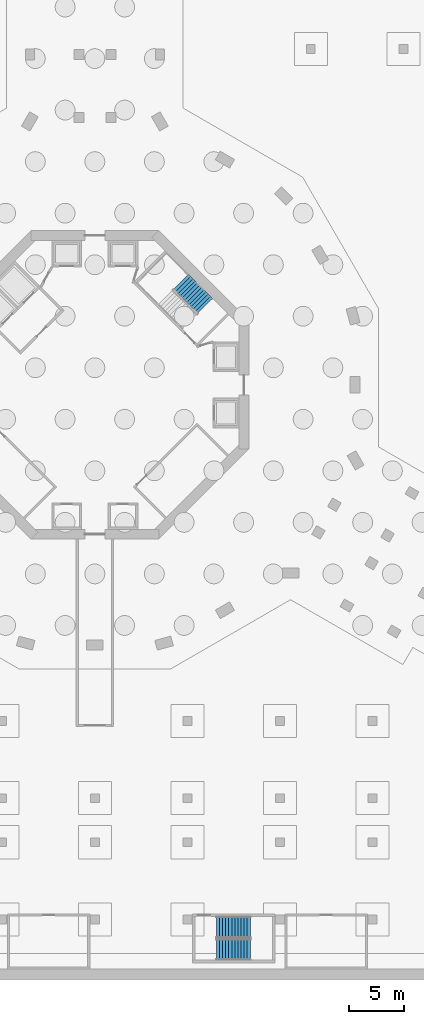
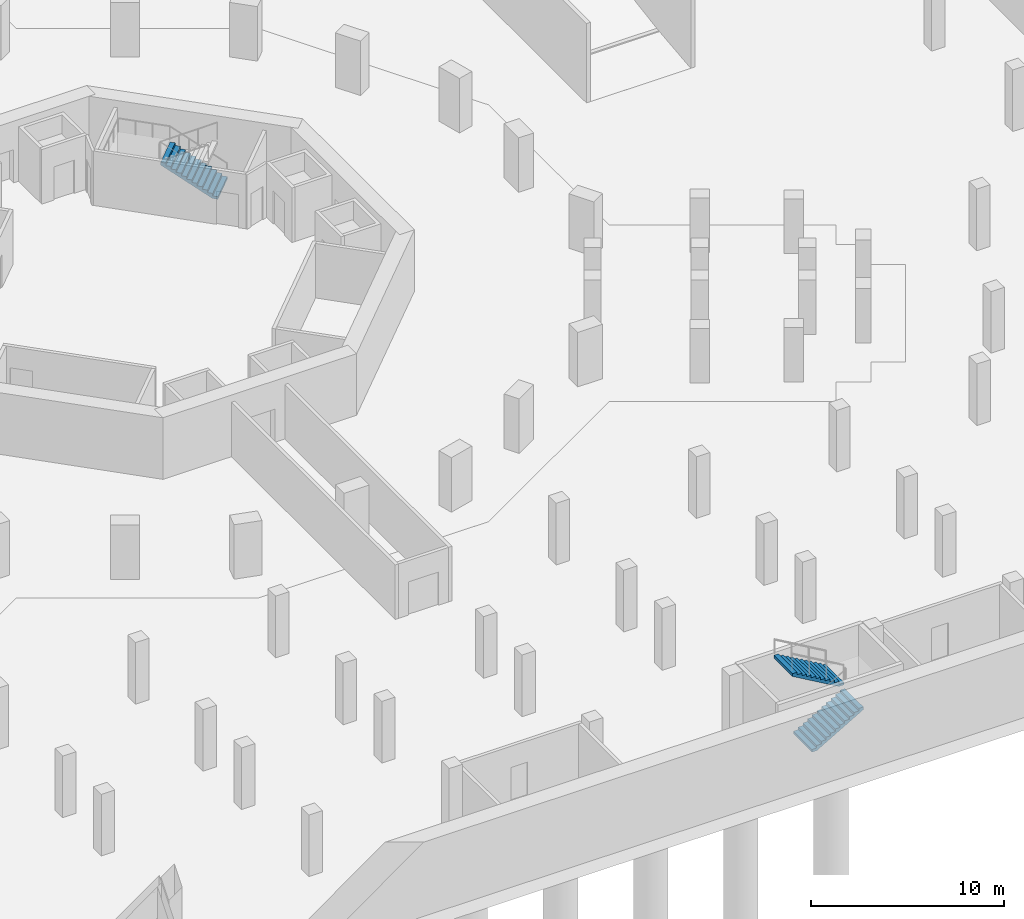
# One storey, part 15 of 27: 3 stair flights, 2 elements without a shape of their own.
"""IFC4 building model written with IfcOpenShell, lengths in metres."""

from ifc_helpers import new_model, si_unit, direction, frame, origin, place, context, subcontext, project, spatial, triangles, material, type_object, element, aggregate, save


model = new_model("IFC4")

# Units and contexts
model_context = context("Model", 3, precision=1e-05, world=origin(), true_north=direction((0.0, 1.0)))
body_context = subcontext(model_context, "Body", "Model", "MODEL_VIEW")
ifc_project = project(units=[si_unit("LENGTHUNIT", "METRE"), si_unit("AREAUNIT", "SQUARE_METRE"), si_unit("VOLUMEUNIT", "CUBIC_METRE"), si_unit("PLANEANGLEUNIT", "RADIAN"), si_unit("MASSUNIT", "GRAM", prefix="KILO")], contexts=[model_context])

# Site, building, storey
site_placement = place(None, origin())
site = spatial("IfcSite", under=ifc_project, at=site_placement, CompositionType="ELEMENT")
building_placement = place(site_placement, origin())
building = spatial("IfcBuilding", under=site, at=building_placement, Name="Verdalira Terraces Hotel", CompositionType="ELEMENT")
storey_placement = place(building_placement, frame((0.0, 0.0, -11.699951)))
storey = spatial("IfcBuildingStorey", under=building, at=storey_placement, Name="B3", CompositionType="ELEMENT", Elevation=-11.699951171875)

# Stair, stair flights
ifc_material_1 = material(Name="Concrete C40", Category="concrete")
stair_type_1 = type_object("IfcStairType", Name="Car park stair 24 risers", PredefinedType="HALF_TURN_STAIR", material=ifc_material_1)
stair_1_placement = place(storey_placement, origin())
stair_1 = element("IfcStair", 1, at=stair_1_placement, inside=storey, type_object=stair_type_1, Name="B3 Exit stair Basement stair 6", PredefinedType="HALF_TURN_STAIR")
ifc_material_2 = material(Name="Concrete C40", Category="concrete")
stair_flight_type_1 = type_object("IfcStairFlightType", Name="Car park stair flight 24 risers", PredefinedType="STRAIGHT", material=ifc_material_2)
stair_flight_1_placement = place(storey_placement, frame((11.024902, -51.237549, 0.0), z_axis=(0.0, 0.0, 1.0), x_axis=(1.0, 0.0, 0.0)))
stair_flight_1 = element("IfcStairFlight", 2, at=stair_flight_1_placement, type_object=stair_flight_type_1, Name="Basement stair 6 flight 1", NumberOfRisers=12, NumberOfTreads=11, PredefinedType="STRAIGHT", RiserHeight=0.1625, TreadLength=0.28, context=body_context, shape_type="Tessellation", body=[
    triangles([(0.0, 0.962524, 0.0), (0.298584, 0.962524, 0.0), (3.080078, 0.962524, 1.614258), (0.0, -0.962524, 0.0), (0.298584, -0.962524, 0.0), (3.080078, -0.962524, 1.614258), (3.080078, 0.962524, 1.787598), (2.800049, 0.962524, 1.787598), (3.080078, -0.962524, 1.787598), (2.800049, -0.962524, 1.787598), (2.800049, 0.962524, 1.625), (2.800049, -0.962524, 1.625), (2.52002, 0.962524, 1.625), (2.52002, -0.962524, 1.625), (2.52002, 0.962524, 1.462402), (2.52002, -0.962524, 1.462402), (2.23999, 0.962524, 1.462402), (2.23999, 0.962524, 1.300049), (2.23999, -0.962524, 1.462402), (2.23999, -0.962524, 1.300049), (1.959961, 0.962524, 1.300049), (1.959961, 0.962524, 1.137451), (1.959961, -0.962524, 1.300049), (1.959961, -0.962524, 1.137451), (1.679932, 0.962524, 1.137451), (1.679932, 0.962524, 0.975098), (1.679932, -0.962524, 1.137451), (1.679932, -0.962524, 0.975098), (1.399902, 0.962524, 0.975098), (1.399902, 0.962524, 0.8125), (1.399902, -0.962524, 0.975098), (1.399902, -0.962524, 0.8125), (1.120117, 0.962524, 0.8125), (1.120117, 0.962524, 0.649902), (1.120117, -0.962524, 0.8125), (1.120117, -0.962524, 0.649902), (0.840088, 0.962524, 0.649902), (0.840088, 0.962524, 0.487549), (0.840088, -0.962524, 0.649902), (0.840088, -0.962524, 0.487549), (0.560059, 0.962524, 0.487549), (0.560059, 0.962524, 0.324951), (0.560059, -0.962524, 0.487549), (0.560059, -0.962524, 0.324951), (0.280029, 0.962524, 0.324951), (0.280029, 0.962524, 0.162598), (0.280029, -0.962524, 0.324951), (0.280029, -0.962524, 0.162598), (0.0, 0.962524, 0.162598), (0.0, -0.962524, 0.162598), (0.0, -0.902367, 0.0), (0.0, -0.902367, 0.162598), (0.0, -0.842209, 0.0), (0.0, -0.842209, 0.162598), (0.0, -0.782051, 0.0), (0.0, -0.782051, 0.162598), (0.0, -0.721893, 0.0), (0.0, -0.721893, 0.162598), (0.0, -0.661736, 0.0), (0.0, -0.661736, 0.162598), (0.0, -0.601578, 0.0), (0.0, -0.601578, 0.162598), (0.0, -0.54142, 0.0), (0.0, -0.54142, 0.162598), (0.0, -0.481262, 0.0), (0.0, -0.481262, 0.162598), (0.0, -0.421104, 0.0), (0.0, -0.421104, 0.162598), (0.0, -0.360947, 0.0), (0.0, -0.360947, 0.162598), (0.0, -0.300789, 0.0), (0.0, -0.300789, 0.162598), (0.0, -0.240631, 0.0), (0.0, -0.240631, 0.162598), (0.0, -0.180473, 0.0), (0.0, -0.180473, 0.162598), (0.0, -0.120316, 0.0), (0.0, -0.120316, 0.162598), (0.0, -0.060158, 0.0), (0.0, -0.060158, 0.162598), (0.0, 0.0, 0.0), (0.0, 0.0, 0.162598), (0.0, 0.060158, 0.0), (0.0, 0.060158, 0.162598), (0.0, 0.120316, 0.0), (0.0, 0.120316, 0.162598), (0.0, 0.180473, 0.0), (0.0, 0.180473, 0.162598), (0.0, 0.240631, 0.0), (0.0, 0.240631, 0.162598), (0.0, 0.300789, 0.0), (0.0, 0.300789, 0.162598), (0.0, 0.360947, 0.0), (0.0, 0.360947, 0.162598), (0.0, 0.421104, 0.0), (0.0, 0.421104, 0.162598), (0.0, 0.481262, 0.0), (0.0, 0.481262, 0.162598), (0.0, 0.54142, 0.0), (0.0, 0.54142, 0.162598), (0.0, 0.601578, 0.0), (0.0, 0.601578, 0.162598), (0.0, 0.661736, 0.0), (0.0, 0.661736, 0.162598), (0.0, 0.721893, 0.0), (0.0, 0.721893, 0.162598), (0.0, 0.782051, 0.0), (0.0, 0.782051, 0.162598), (0.0, 0.842209, 0.0), (0.0, 0.842209, 0.162598), (0.0, 0.902367, 0.0), (0.0, 0.902367, 0.162598), (3.080078, -0.902367, 1.787598), (3.080078, -0.842209, 1.787598), (3.080078, -0.782051, 1.787598), (3.080078, -0.721893, 1.787598), (3.080078, -0.661736, 1.787598), (3.080078, -0.601578, 1.787598), (3.080078, -0.54142, 1.787598), (3.080078, -0.481262, 1.787598), (3.080078, -0.421104, 1.787598), (3.080078, -0.360947, 1.787598), (3.080078, -0.300789, 1.787598), (3.080078, -0.240631, 1.787598), (3.080078, -0.180473, 1.787598), (3.080078, -0.120316, 1.787598), (3.080078, -0.060158, 1.787598), (3.080078, 0.0, 1.787598), (3.080078, 0.060158, 1.787598), (3.080078, 0.120316, 1.787598), (3.080078, 0.180473, 1.787598), (3.080078, 0.240631, 1.787598), (3.080078, 0.300789, 1.787598), (3.080078, 0.360947, 1.787598), (3.080078, 0.421104, 1.787598), (3.080078, 0.481262, 1.787598), (3.080078, 0.54142, 1.787598), (3.080078, 0.601578, 1.787598), (3.080078, 0.661736, 1.787598), (3.080078, 0.721893, 1.787598), (3.080078, 0.782051, 1.787598), (3.080078, 0.842209, 1.787598), (3.080078, 0.902367, 1.787598), (3.080078, -0.902367, 1.614258), (3.080078, -0.842209, 1.614258), (3.080078, -0.782051, 1.614258), (3.080078, -0.721893, 1.614258), (3.080078, -0.661736, 1.614258), (3.080078, -0.601578, 1.614258), (3.080078, -0.54142, 1.614258), (3.080078, -0.481262, 1.614258), (3.080078, -0.421104, 1.614258), (3.080078, -0.360947, 1.614258), (3.080078, -0.300789, 1.614258), (3.080078, -0.240631, 1.614258), (3.080078, -0.180473, 1.614258), (3.080078, -0.120316, 1.614258), (3.080078, -0.060158, 1.614258), (3.080078, 0.0, 1.614258), (3.080078, 0.060158, 1.614258), (3.080078, 0.120316, 1.614258), (3.080078, 0.180473, 1.614258), (3.080078, 0.240631, 1.614258), (3.080078, 0.300789, 1.614258), (3.080078, 0.360947, 1.614258), (3.080078, 0.421104, 1.614258), (3.080078, 0.481262, 1.614258), (3.080078, 0.54142, 1.614258), (3.080078, 0.601578, 1.614258), (3.080078, 0.661736, 1.614258), (3.080078, 0.721893, 1.614258), (3.080078, 0.782051, 1.614258), (3.080078, 0.842209, 1.614258), (3.080078, 0.902367, 1.614258)], [[1, 3, 2], [4, 5, 6], [3, 8, 7], [6, 9, 10], [3, 11, 8], [6, 10, 12], [3, 13, 11], [6, 12, 14], [3, 15, 13], [6, 14, 16], [15, 18, 17], [16, 19, 20], [3, 18, 15], [6, 16, 20], [18, 22, 21], [20, 23, 24], [3, 22, 18], [6, 20, 24], [22, 26, 25], [24, 27, 28], [3, 26, 22], [6, 24, 28], [26, 30, 29], [28, 31, 32], [3, 30, 26], [6, 28, 32], [30, 34, 33], [32, 35, 36], [3, 34, 30], [6, 32, 36], [34, 38, 37], [36, 39, 40], [3, 38, 34], [6, 36, 40], [38, 42, 41], [40, 43, 44], [3, 42, 38], [6, 40, 44], [1, 42, 3], [4, 6, 44], [42, 46, 45], [44, 47, 48], [1, 46, 42], [4, 44, 48], [46, 1, 49], [48, 50, 4], [4, 52, 51], [4, 50, 52], [51, 54, 53], [51, 52, 54], [53, 56, 55], [53, 54, 56], [55, 58, 57], [55, 56, 58], [57, 60, 59], [57, 58, 60], [59, 62, 61], [59, 60, 62], [61, 64, 63], [61, 62, 64], [63, 66, 65], [63, 64, 66], [65, 68, 67], [65, 66, 68], [67, 70, 69], [67, 68, 70], [69, 72, 71], [69, 70, 72], [71, 74, 73], [71, 72, 74], [73, 76, 75], [73, 74, 76], [75, 78, 77], [75, 76, 78], [77, 80, 79], [77, 78, 80], [79, 82, 81], [79, 80, 82], [81, 84, 83], [81, 82, 84], [83, 86, 85], [83, 84, 86], [85, 88, 87], [85, 86, 88], [87, 90, 89], [87, 88, 90], [89, 92, 91], [89, 90, 92], [91, 94, 93], [91, 92, 94], [93, 96, 95], [93, 94, 96], [95, 98, 97], [95, 96, 98], [97, 100, 99], [97, 98, 100], [99, 102, 101], [99, 100, 102], [101, 104, 103], [101, 102, 104], [103, 106, 105], [103, 104, 106], [105, 108, 107], [105, 106, 108], [107, 110, 109], [107, 108, 110], [109, 112, 111], [109, 110, 112], [111, 49, 1], [111, 112, 49], [50, 48, 52], [52, 48, 54], [54, 48, 56], [56, 48, 58], [58, 48, 60], [60, 48, 62], [62, 48, 64], [64, 48, 66], [66, 48, 68], [68, 48, 70], [70, 48, 72], [72, 48, 74], [74, 48, 76], [76, 48, 78], [78, 48, 80], [80, 48, 82], [82, 48, 84], [84, 48, 86], [86, 48, 88], [88, 48, 90], [90, 48, 92], [92, 48, 94], [94, 48, 96], [96, 48, 98], [98, 48, 100], [100, 48, 102], [102, 48, 104], [104, 48, 106], [106, 48, 108], [108, 48, 110], [110, 48, 112], [112, 48, 49], [49, 48, 46], [48, 45, 46], [48, 47, 45], [47, 42, 45], [47, 44, 42], [44, 41, 42], [44, 43, 41], [43, 38, 41], [43, 40, 38], [40, 37, 38], [40, 39, 37], [39, 34, 37], [39, 36, 34], [36, 33, 34], [36, 35, 33], [35, 30, 33], [35, 32, 30], [32, 29, 30], [32, 31, 29], [31, 26, 29], [31, 28, 26], [28, 25, 26], [28, 27, 25], [27, 22, 25], [27, 24, 22], [24, 21, 22], [24, 23, 21], [23, 18, 21], [23, 20, 18], [20, 17, 18], [20, 19, 17], [19, 15, 17], [19, 16, 15], [16, 13, 15], [16, 14, 13], [14, 11, 13], [14, 12, 11], [12, 8, 11], [12, 10, 8], [9, 113, 10], [113, 114, 10], [114, 115, 10], [115, 116, 10], [116, 117, 10], [117, 118, 10], [118, 119, 10], [119, 120, 10], [120, 121, 10], [121, 122, 10], [122, 123, 10], [123, 124, 10], [124, 125, 10], [125, 126, 10], [126, 127, 10], [127, 128, 10], [128, 129, 10], [129, 130, 10], [130, 131, 10], [131, 132, 10], [132, 133, 10], [133, 134, 10], [134, 135, 10], [135, 136, 10], [136, 137, 10], [137, 138, 10], [138, 139, 10], [139, 140, 10], [140, 141, 10], [141, 142, 10], [142, 143, 10], [143, 7, 10], [7, 8, 10], [9, 144, 113], [9, 6, 144], [113, 145, 114], [113, 144, 145], [114, 146, 115], [114, 145, 146], [115, 147, 116], [115, 146, 147], [116, 148, 117], [116, 147, 148], [117, 149, 118], [117, 148, 149], [118, 150, 119], [118, 149, 150], [119, 151, 120], [119, 150, 151], [120, 152, 121], [120, 151, 152], [121, 153, 122], [121, 152, 153], [122, 154, 123], [122, 153, 154], [123, 155, 124], [123, 154, 155], [124, 156, 125], [124, 155, 156], [125, 157, 126], [125, 156, 157], [126, 158, 127], [126, 157, 158], [127, 159, 128], [127, 158, 159], [128, 160, 129], [128, 159, 160], [129, 161, 130], [129, 160, 161], [130, 162, 131], [130, 161, 162], [131, 163, 132], [131, 162, 163], [132, 164, 133], [132, 163, 164], [133, 165, 134], [133, 164, 165], [134, 166, 135], [134, 165, 166], [135, 167, 136], [135, 166, 167], [136, 168, 137], [136, 167, 168], [137, 169, 138], [137, 168, 169], [138, 170, 139], [138, 169, 170], [139, 171, 140], [139, 170, 171], [140, 172, 141], [140, 171, 172], [141, 173, 142], [141, 172, 173], [142, 174, 143], [142, 173, 174], [143, 3, 7], [143, 174, 3], [6, 5, 144], [144, 5, 145], [145, 5, 146], [146, 5, 147], [147, 5, 148], [148, 5, 149], [149, 5, 150], [150, 5, 151], [151, 5, 152], [152, 5, 153], [153, 5, 154], [154, 5, 155], [155, 5, 156], [156, 5, 157], [157, 5, 158], [158, 5, 159], [159, 5, 160], [160, 5, 161], [161, 5, 162], [162, 5, 163], [163, 5, 164], [164, 5, 165], [165, 5, 166], [166, 5, 167], [167, 5, 168], [168, 5, 169], [169, 5, 170], [170, 5, 171], [171, 5, 172], [172, 5, 173], [173, 5, 174], [174, 5, 3], [3, 5, 2], [4, 51, 5], [51, 53, 5], [53, 55, 5], [55, 57, 5], [57, 59, 5], [59, 61, 5], [61, 63, 5], [63, 65, 5], [65, 67, 5], [67, 69, 5], [69, 71, 5], [71, 73, 5], [73, 75, 5], [75, 77, 5], [77, 79, 5], [79, 81, 5], [81, 83, 5], [83, 85, 5], [85, 87, 5], [87, 89, 5], [89, 91, 5], [91, 93, 5], [93, 95, 5], [95, 97, 5], [97, 99, 5], [99, 101, 5], [101, 103, 5], [103, 105, 5], [105, 107, 5], [107, 109, 5], [109, 111, 5], [111, 1, 5], [1, 2, 5]], closed=True),
])
stair_flight_2_placement = place(storey_placement, frame((14.10498, -49.212402, 1.949951), z_axis=(0.0, 0.0, 1.0), x_axis=(-1.0, 0.0, 0.0)))
stair_flight_2 = element("IfcStairFlight", 3, at=stair_flight_2_placement, type_object=stair_flight_type_1, Name="Basement stair 6 flight 2", NumberOfRisers=12, NumberOfTreads=11, PredefinedType="STRAIGHT", RiserHeight=0.1625, TreadLength=0.28, context=body_context, shape_type="Tessellation", body=[
    triangles([(0.0, 0.962524, 0.0), (0.298584, 0.962524, 0.0), (3.080078, 0.962524, 1.614258), (0.0, -0.962524, 0.0), (0.298584, -0.962524, 0.0), (3.080078, -0.962524, 1.614258), (3.080078, 0.962524, 1.787598), (2.800049, 0.962524, 1.787598), (3.080078, -0.962524, 1.787598), (2.800049, -0.962524, 1.787598), (2.800049, 0.962524, 1.625), (2.800049, -0.962524, 1.625), (2.52002, 0.962524, 1.625), (2.52002, -0.962524, 1.625), (2.52002, 0.962524, 1.462402), (2.52002, -0.962524, 1.462402), (2.23999, 0.962524, 1.462402), (2.23999, 0.962524, 1.300049), (2.23999, -0.962524, 1.462402), (2.23999, -0.962524, 1.300049), (1.959961, 0.962524, 1.300049), (1.959961, 0.962524, 1.137451), (1.959961, -0.962524, 1.300049), (1.959961, -0.962524, 1.137451), (1.679932, 0.962524, 1.137451), (1.679932, 0.962524, 0.975098), (1.679932, -0.962524, 1.137451), (1.679932, -0.962524, 0.975098), (1.399902, 0.962524, 0.975098), (1.399902, 0.962524, 0.8125), (1.399902, -0.962524, 0.975098), (1.399902, -0.962524, 0.8125), (1.120117, 0.962524, 0.8125), (1.120117, 0.962524, 0.649902), (1.120117, -0.962524, 0.8125), (1.120117, -0.962524, 0.649902), (0.840088, 0.962524, 0.649902), (0.840088, 0.962524, 0.487549), (0.840088, -0.962524, 0.649902), (0.840088, -0.962524, 0.487549), (0.560059, 0.962524, 0.487549), (0.560059, 0.962524, 0.324951), (0.560059, -0.962524, 0.487549), (0.560059, -0.962524, 0.324951), (0.280029, 0.962524, 0.324951), (0.280029, 0.962524, 0.162598), (0.280029, -0.962524, 0.324951), (0.280029, -0.962524, 0.162598), (0.0, 0.962524, 0.162598), (0.0, -0.962524, 0.162598), (0.0, -0.902367, 0.0), (0.0, -0.902367, 0.162598), (0.0, -0.842209, 0.0), (0.0, -0.842209, 0.162598), (0.0, -0.782051, 0.0), (0.0, -0.782051, 0.162598), (0.0, -0.721893, 0.0), (0.0, -0.721893, 0.162598), (0.0, -0.661736, 0.0), (0.0, -0.661736, 0.162598), (0.0, -0.601578, 0.0), (0.0, -0.601578, 0.162598), (0.0, -0.54142, 0.0), (0.0, -0.54142, 0.162598), (0.0, -0.481262, 0.0), (0.0, -0.481262, 0.162598), (0.0, -0.421104, 0.0), (0.0, -0.421104, 0.162598), (0.0, -0.360947, 0.0), (0.0, -0.360947, 0.162598), (0.0, -0.300789, 0.0), (0.0, -0.300789, 0.162598), (0.0, -0.240631, 0.0), (0.0, -0.240631, 0.162598), (0.0, -0.180473, 0.0), (0.0, -0.180473, 0.162598), (0.0, -0.120316, 0.0), (0.0, -0.120316, 0.162598), (0.0, -0.060158, 0.0), (0.0, -0.060158, 0.162598), (0.0, 0.0, 0.0), (0.0, 0.0, 0.162598), (0.0, 0.060158, 0.0), (0.0, 0.060158, 0.162598), (0.0, 0.120316, 0.0), (0.0, 0.120316, 0.162598), (0.0, 0.180473, 0.0), (0.0, 0.180473, 0.162598), (0.0, 0.240631, 0.0), (0.0, 0.240631, 0.162598), (0.0, 0.300789, 0.0), (0.0, 0.300789, 0.162598), (0.0, 0.360947, 0.0), (0.0, 0.360947, 0.162598), (0.0, 0.421104, 0.0), (0.0, 0.421104, 0.162598), (0.0, 0.481262, 0.0), (0.0, 0.481262, 0.162598), (0.0, 0.54142, 0.0), (0.0, 0.54142, 0.162598), (0.0, 0.601578, 0.0), (0.0, 0.601578, 0.162598), (0.0, 0.661736, 0.0), (0.0, 0.661736, 0.162598), (0.0, 0.721893, 0.0), (0.0, 0.721893, 0.162598), (0.0, 0.782051, 0.0), (0.0, 0.782051, 0.162598), (0.0, 0.842209, 0.0), (0.0, 0.842209, 0.162598), (0.0, 0.902367, 0.0), (0.0, 0.902367, 0.162598), (3.080078, -0.902367, 1.787598), (3.080078, -0.842209, 1.787598), (3.080078, -0.782051, 1.787598), (3.080078, -0.721893, 1.787598), (3.080078, -0.661736, 1.787598), (3.080078, -0.601578, 1.787598), (3.080078, -0.54142, 1.787598), (3.080078, -0.481262, 1.787598), (3.080078, -0.421104, 1.787598), (3.080078, -0.360947, 1.787598), (3.080078, -0.300789, 1.787598), (3.080078, -0.240631, 1.787598), (3.080078, -0.180473, 1.787598), (3.080078, -0.120316, 1.787598), (3.080078, -0.060158, 1.787598), (3.080078, 0.0, 1.787598), (3.080078, 0.060158, 1.787598), (3.080078, 0.120316, 1.787598), (3.080078, 0.180473, 1.787598), (3.080078, 0.240631, 1.787598), (3.080078, 0.300789, 1.787598), (3.080078, 0.360947, 1.787598), (3.080078, 0.421104, 1.787598), (3.080078, 0.481262, 1.787598), (3.080078, 0.54142, 1.787598), (3.080078, 0.601578, 1.787598), (3.080078, 0.661736, 1.787598), (3.080078, 0.721893, 1.787598), (3.080078, 0.782051, 1.787598), (3.080078, 0.842209, 1.787598), (3.080078, 0.902367, 1.787598), (3.080078, -0.902367, 1.614258), (3.080078, -0.842209, 1.614258), (3.080078, -0.782051, 1.614258), (3.080078, -0.721893, 1.614258), (3.080078, -0.661736, 1.614258), (3.080078, -0.601578, 1.614258), (3.080078, -0.54142, 1.614258), (3.080078, -0.481262, 1.614258), (3.080078, -0.421104, 1.614258), (3.080078, -0.360947, 1.614258), (3.080078, -0.300789, 1.614258), (3.080078, -0.240631, 1.614258), (3.080078, -0.180473, 1.614258), (3.080078, -0.120316, 1.614258), (3.080078, -0.060158, 1.614258), (3.080078, 0.0, 1.614258), (3.080078, 0.060158, 1.614258), (3.080078, 0.120316, 1.614258), (3.080078, 0.180473, 1.614258), (3.080078, 0.240631, 1.614258), (3.080078, 0.300789, 1.614258), (3.080078, 0.360947, 1.614258), (3.080078, 0.421104, 1.614258), (3.080078, 0.481262, 1.614258), (3.080078, 0.54142, 1.614258), (3.080078, 0.601578, 1.614258), (3.080078, 0.661736, 1.614258), (3.080078, 0.721893, 1.614258), (3.080078, 0.782051, 1.614258), (3.080078, 0.842209, 1.614258), (3.080078, 0.902367, 1.614258)], [[1, 3, 2], [4, 5, 6], [3, 8, 7], [6, 9, 10], [3, 11, 8], [6, 10, 12], [3, 13, 11], [6, 12, 14], [3, 15, 13], [6, 14, 16], [15, 18, 17], [16, 19, 20], [3, 18, 15], [6, 16, 20], [18, 22, 21], [20, 23, 24], [3, 22, 18], [6, 20, 24], [22, 26, 25], [24, 27, 28], [3, 26, 22], [6, 24, 28], [26, 30, 29], [28, 31, 32], [3, 30, 26], [6, 28, 32], [30, 34, 33], [32, 35, 36], [3, 34, 30], [6, 32, 36], [34, 38, 37], [36, 39, 40], [3, 38, 34], [6, 36, 40], [38, 42, 41], [40, 43, 44], [3, 42, 38], [6, 40, 44], [1, 42, 3], [4, 6, 44], [42, 46, 45], [44, 47, 48], [1, 46, 42], [4, 44, 48], [46, 1, 49], [48, 50, 4], [4, 52, 51], [4, 50, 52], [51, 54, 53], [51, 52, 54], [53, 56, 55], [53, 54, 56], [55, 58, 57], [55, 56, 58], [57, 60, 59], [57, 58, 60], [59, 62, 61], [59, 60, 62], [61, 64, 63], [61, 62, 64], [63, 66, 65], [63, 64, 66], [65, 68, 67], [65, 66, 68], [67, 70, 69], [67, 68, 70], [69, 72, 71], [69, 70, 72], [71, 74, 73], [71, 72, 74], [73, 76, 75], [73, 74, 76], [75, 78, 77], [75, 76, 78], [77, 80, 79], [77, 78, 80], [79, 82, 81], [79, 80, 82], [81, 84, 83], [81, 82, 84], [83, 86, 85], [83, 84, 86], [85, 88, 87], [85, 86, 88], [87, 90, 89], [87, 88, 90], [89, 92, 91], [89, 90, 92], [91, 94, 93], [91, 92, 94], [93, 96, 95], [93, 94, 96], [95, 98, 97], [95, 96, 98], [97, 100, 99], [97, 98, 100], [99, 102, 101], [99, 100, 102], [101, 104, 103], [101, 102, 104], [103, 106, 105], [103, 104, 106], [105, 108, 107], [105, 106, 108], [107, 110, 109], [107, 108, 110], [109, 112, 111], [109, 110, 112], [111, 49, 1], [111, 112, 49], [50, 48, 52], [52, 48, 54], [54, 48, 56], [56, 48, 58], [58, 48, 60], [60, 48, 62], [62, 48, 64], [64, 48, 66], [66, 48, 68], [68, 48, 70], [70, 48, 72], [72, 48, 74], [74, 48, 76], [76, 48, 78], [78, 48, 80], [80, 48, 82], [82, 48, 84], [84, 48, 86], [86, 48, 88], [88, 48, 90], [90, 48, 92], [92, 48, 94], [94, 48, 96], [96, 48, 98], [98, 48, 100], [100, 48, 102], [102, 48, 104], [104, 48, 106], [106, 48, 108], [108, 48, 110], [110, 48, 112], [112, 48, 49], [49, 48, 46], [48, 45, 46], [48, 47, 45], [47, 42, 45], [47, 44, 42], [44, 41, 42], [44, 43, 41], [43, 38, 41], [43, 40, 38], [40, 37, 38], [40, 39, 37], [39, 34, 37], [39, 36, 34], [36, 33, 34], [36, 35, 33], [35, 30, 33], [35, 32, 30], [32, 29, 30], [32, 31, 29], [31, 26, 29], [31, 28, 26], [28, 25, 26], [28, 27, 25], [27, 22, 25], [27, 24, 22], [24, 21, 22], [24, 23, 21], [23, 18, 21], [23, 20, 18], [20, 17, 18], [20, 19, 17], [19, 15, 17], [19, 16, 15], [16, 13, 15], [16, 14, 13], [14, 11, 13], [14, 12, 11], [12, 8, 11], [12, 10, 8], [9, 113, 10], [113, 114, 10], [114, 115, 10], [115, 116, 10], [116, 117, 10], [117, 118, 10], [118, 119, 10], [119, 120, 10], [120, 121, 10], [121, 122, 10], [122, 123, 10], [123, 124, 10], [124, 125, 10], [125, 126, 10], [126, 127, 10], [127, 128, 10], [128, 129, 10], [129, 130, 10], [130, 131, 10], [131, 132, 10], [132, 133, 10], [133, 134, 10], [134, 135, 10], [135, 136, 10], [136, 137, 10], [137, 138, 10], [138, 139, 10], [139, 140, 10], [140, 141, 10], [141, 142, 10], [142, 143, 10], [143, 7, 10], [7, 8, 10], [9, 144, 113], [9, 6, 144], [113, 145, 114], [113, 144, 145], [114, 146, 115], [114, 145, 146], [115, 147, 116], [115, 146, 147], [116, 148, 117], [116, 147, 148], [117, 149, 118], [117, 148, 149], [118, 150, 119], [118, 149, 150], [119, 151, 120], [119, 150, 151], [120, 152, 121], [120, 151, 152], [121, 153, 122], [121, 152, 153], [122, 154, 123], [122, 153, 154], [123, 155, 124], [123, 154, 155], [124, 156, 125], [124, 155, 156], [125, 157, 126], [125, 156, 157], [126, 158, 127], [126, 157, 158], [127, 159, 128], [127, 158, 159], [128, 160, 129], [128, 159, 160], [129, 161, 130], [129, 160, 161], [130, 162, 131], [130, 161, 162], [131, 163, 132], [131, 162, 163], [132, 164, 133], [132, 163, 164], [133, 165, 134], [133, 164, 165], [134, 166, 135], [134, 165, 166], [135, 167, 136], [135, 166, 167], [136, 168, 137], [136, 167, 168], [137, 169, 138], [137, 168, 169], [138, 170, 139], [138, 169, 170], [139, 171, 140], [139, 170, 171], [140, 172, 141], [140, 171, 172], [141, 173, 142], [141, 172, 173], [142, 174, 143], [142, 173, 174], [143, 3, 7], [143, 174, 3], [6, 5, 144], [144, 5, 145], [145, 5, 146], [146, 5, 147], [147, 5, 148], [148, 5, 149], [149, 5, 150], [150, 5, 151], [151, 5, 152], [152, 5, 153], [153, 5, 154], [154, 5, 155], [155, 5, 156], [156, 5, 157], [157, 5, 158], [158, 5, 159], [159, 5, 160], [160, 5, 161], [161, 5, 162], [162, 5, 163], [163, 5, 164], [164, 5, 165], [165, 5, 166], [166, 5, 167], [167, 5, 168], [168, 5, 169], [169, 5, 170], [170, 5, 171], [171, 5, 172], [172, 5, 173], [173, 5, 174], [174, 5, 3], [3, 5, 2], [4, 51, 5], [51, 53, 5], [53, 55, 5], [55, 57, 5], [57, 59, 5], [59, 61, 5], [61, 63, 5], [63, 65, 5], [65, 67, 5], [67, 69, 5], [69, 71, 5], [71, 73, 5], [73, 75, 5], [75, 77, 5], [77, 79, 5], [79, 81, 5], [81, 83, 5], [83, 85, 5], [85, 87, 5], [87, 89, 5], [89, 91, 5], [91, 93, 5], [93, 95, 5], [95, 97, 5], [97, 99, 5], [99, 101, 5], [101, 103, 5], [103, 105, 5], [105, 107, 5], [107, 109, 5], [109, 111, 5], [111, 1, 5], [1, 2, 5]], closed=True),
])
aggregate(stair_1, [stair_flight_1, stair_flight_2])

# Stair, stair flight
ifc_material_3 = material(Name="Concrete C40", Category="concrete")
stair_type_2 = type_object("IfcStairType", Name="Core stair 24 risers 1900 mm wide", PredefinedType="HALF_TURN_STAIR", material=ifc_material_3)
stair_2_placement = place(storey_placement, origin())
stair_2 = element("IfcStair", 4, at=stair_2_placement, inside=storey, type_object=stair_type_2, Name="B3 Exit stair ST1", PredefinedType="HALF_TURN_STAIR")
ifc_material_4 = material(Name="Concrete C40", Category="concrete")
stair_flight_type_2 = type_object("IfcStairFlightType", Name="Core stair flight 24 risers 1900 mm wide", PredefinedType="STRAIGHT", material=ifc_material_4)
stair_flight_3_placement = place(storey_placement, frame((10.005615, 7.177246, 0.0), z_axis=(0.0, 0.0, 1.0), x_axis=(-0.707106781, 0.707106781, 0.0)))
stair_flight_3 = element("IfcStairFlight", 5, at=stair_flight_3_placement, type_object=stair_flight_type_2, Name="ST1 flight 1", NumberOfRisers=12, NumberOfTreads=11, PredefinedType="STRAIGHT", RiserHeight=0.1625, TreadLength=0.28, context=body_context, shape_type="Tessellation", body=[
    triangles([(0.0, 0.949951, 0.0), (0.298584, 0.949951, 0.0), (3.080078, 0.949951, 1.614258), (0.0, -0.949951, 0.0), (0.298584, -0.949951, 0.0), (3.080078, -0.949951, 1.614258), (3.080078, 0.949951, 1.787598), (2.800049, 0.949951, 1.787598), (3.080078, -0.949951, 1.787598), (2.800049, -0.949951, 1.787598), (2.800049, 0.949951, 1.625), (2.800049, -0.949951, 1.625), (2.52002, 0.949951, 1.625), (2.52002, -0.949951, 1.625), (2.52002, 0.949951, 1.462402), (2.52002, -0.949951, 1.462402), (2.23999, 0.949951, 1.462402), (2.23999, 0.949951, 1.300049), (2.23999, -0.949951, 1.462402), (2.23999, -0.949951, 1.300049), (1.959961, 0.949951, 1.300049), (1.959961, 0.949951, 1.137451), (1.959961, -0.949951, 1.300049), (1.959961, -0.949951, 1.137451), (1.679932, 0.949951, 1.137451), (1.679932, 0.949951, 0.975098), (1.679932, -0.949951, 1.137451), (1.679932, -0.949951, 0.975098), (1.399902, 0.949951, 0.975098), (1.399902, 0.949951, 0.8125), (1.399902, -0.949951, 0.975098), (1.399902, -0.949951, 0.8125), (1.120117, 0.949951, 0.8125), (1.120117, 0.949951, 0.649902), (1.120117, -0.949951, 0.8125), (1.120117, -0.949951, 0.649902), (0.840088, 0.949951, 0.649902), (0.840088, 0.949951, 0.487549), (0.840088, -0.949951, 0.649902), (0.840088, -0.949951, 0.487549), (0.560059, 0.949951, 0.487549), (0.560059, 0.949951, 0.324951), (0.560059, -0.949951, 0.487549), (0.560059, -0.949951, 0.324951), (0.280029, 0.949951, 0.324951), (0.280029, 0.949951, 0.162598), (0.280029, -0.949951, 0.324951), (0.280029, -0.949951, 0.162598), (0.0, 0.949951, 0.162598), (0.0, -0.949951, 0.162598), (0.0, -0.890579, 0.0), (0.0, -0.890579, 0.162598), (0.0, -0.831207, 0.0), (0.0, -0.831207, 0.162598), (0.0, -0.771835, 0.0), (0.0, -0.771835, 0.162598), (0.0, -0.712463, 0.0), (0.0, -0.712463, 0.162598), (0.0, -0.653091, 0.0), (0.0, -0.653091, 0.162598), (0.0, -0.593719, 0.0), (0.0, -0.593719, 0.162598), (0.0, -0.534348, 0.0), (0.0, -0.534348, 0.162598), (0.0, -0.474976, 0.0), (0.0, -0.474976, 0.162598), (0.0, -0.415604, 0.0), (0.0, -0.415604, 0.162598), (0.0, -0.356232, 0.0), (0.0, -0.356232, 0.162598), (0.0, -0.29686, 0.0), (0.0, -0.29686, 0.162598), (0.0, -0.237488, 0.0), (0.0, -0.237488, 0.162598), (0.0, -0.178116, 0.0), (0.0, -0.178116, 0.162598), (0.0, -0.118744, 0.0), (0.0, -0.118744, 0.162598), (0.0, -0.059372, 0.0), (0.0, -0.059372, 0.162598), (0.0, 0.0, 0.0), (0.0, 0.0, 0.162598), (0.0, 0.059372, 0.0), (0.0, 0.059372, 0.162598), (0.0, 0.118744, 0.0), (0.0, 0.118744, 0.162598), (0.0, 0.178116, 0.0), (0.0, 0.178116, 0.162598), (0.0, 0.237488, 0.0), (0.0, 0.237488, 0.162598), (0.0, 0.29686, 0.0), (0.0, 0.29686, 0.162598), (0.0, 0.356232, 0.0), (0.0, 0.356232, 0.162598), (0.0, 0.415604, 0.0), (0.0, 0.415604, 0.162598), (0.0, 0.474976, 0.0), (0.0, 0.474976, 0.162598), (0.0, 0.534348, 0.0), (0.0, 0.534348, 0.162598), (0.0, 0.593719, 0.0), (0.0, 0.593719, 0.162598), (0.0, 0.653091, 0.0), (0.0, 0.653091, 0.162598), (0.0, 0.712463, 0.0), (0.0, 0.712463, 0.162598), (0.0, 0.771835, 0.0), (0.0, 0.771835, 0.162598), (0.0, 0.831207, 0.0), (0.0, 0.831207, 0.162598), (0.0, 0.890579, 0.0), (0.0, 0.890579, 0.162598), (3.080078, -0.890579, 1.787598), (3.080078, -0.831207, 1.787598), (3.080078, -0.771835, 1.787598), (3.080078, -0.712463, 1.787598), (3.080078, -0.653091, 1.787598), (3.080078, -0.593719, 1.787598), (3.080078, -0.534348, 1.787598), (3.080078, -0.474976, 1.787598), (3.080078, -0.415604, 1.787598), (3.080078, -0.356232, 1.787598), (3.080078, -0.29686, 1.787598), (3.080078, -0.237488, 1.787598), (3.080078, -0.178116, 1.787598), (3.080078, -0.118744, 1.787598), (3.080078, -0.059372, 1.787598), (3.080078, 0.0, 1.787598), (3.080078, 0.059372, 1.787598), (3.080078, 0.118744, 1.787598), (3.080078, 0.178116, 1.787598), (3.080078, 0.237488, 1.787598), (3.080078, 0.29686, 1.787598), (3.080078, 0.356232, 1.787598), (3.080078, 0.415604, 1.787598), (3.080078, 0.474976, 1.787598), (3.080078, 0.534348, 1.787598), (3.080078, 0.593719, 1.787598), (3.080078, 0.653091, 1.787598), (3.080078, 0.712463, 1.787598), (3.080078, 0.771835, 1.787598), (3.080078, 0.831207, 1.787598), (3.080078, 0.890579, 1.787598), (3.080078, -0.890579, 1.614258), (3.080078, -0.831207, 1.614258), (3.080078, -0.771835, 1.614258), (3.080078, -0.712463, 1.614258), (3.080078, -0.653091, 1.614258), (3.080078, -0.593719, 1.614258), (3.080078, -0.534348, 1.614258), (3.080078, -0.474976, 1.614258), (3.080078, -0.415604, 1.614258), (3.080078, -0.356232, 1.614258), (3.080078, -0.29686, 1.614258), (3.080078, -0.237488, 1.614258), (3.080078, -0.178116, 1.614258), (3.080078, -0.118744, 1.614258), (3.080078, -0.059372, 1.614258), (3.080078, 0.0, 1.614258), (3.080078, 0.059372, 1.614258), (3.080078, 0.118744, 1.614258), (3.080078, 0.178116, 1.614258), (3.080078, 0.237488, 1.614258), (3.080078, 0.29686, 1.614258), (3.080078, 0.356232, 1.614258), (3.080078, 0.415604, 1.614258), (3.080078, 0.474976, 1.614258), (3.080078, 0.534348, 1.614258), (3.080078, 0.593719, 1.614258), (3.080078, 0.653091, 1.614258), (3.080078, 0.712463, 1.614258), (3.080078, 0.771835, 1.614258), (3.080078, 0.831207, 1.614258), (3.080078, 0.890579, 1.614258)], [[1, 3, 2], [4, 5, 6], [3, 8, 7], [6, 9, 10], [3, 11, 8], [6, 10, 12], [3, 13, 11], [6, 12, 14], [3, 15, 13], [6, 14, 16], [15, 18, 17], [16, 19, 20], [3, 18, 15], [6, 16, 20], [18, 22, 21], [20, 23, 24], [3, 22, 18], [6, 20, 24], [22, 26, 25], [24, 27, 28], [3, 26, 22], [6, 24, 28], [26, 30, 29], [28, 31, 32], [3, 30, 26], [6, 28, 32], [30, 34, 33], [32, 35, 36], [3, 34, 30], [6, 32, 36], [34, 38, 37], [36, 39, 40], [3, 38, 34], [6, 36, 40], [38, 42, 41], [40, 43, 44], [3, 42, 38], [6, 40, 44], [1, 42, 3], [4, 6, 44], [42, 46, 45], [44, 47, 48], [1, 46, 42], [4, 44, 48], [46, 1, 49], [48, 50, 4], [4, 52, 51], [4, 50, 52], [51, 54, 53], [51, 52, 54], [53, 56, 55], [53, 54, 56], [55, 58, 57], [55, 56, 58], [57, 60, 59], [57, 58, 60], [59, 62, 61], [59, 60, 62], [61, 64, 63], [61, 62, 64], [63, 66, 65], [63, 64, 66], [65, 68, 67], [65, 66, 68], [67, 70, 69], [67, 68, 70], [69, 72, 71], [69, 70, 72], [71, 74, 73], [71, 72, 74], [73, 76, 75], [73, 74, 76], [75, 78, 77], [75, 76, 78], [77, 80, 79], [77, 78, 80], [79, 82, 81], [79, 80, 82], [81, 84, 83], [81, 82, 84], [83, 86, 85], [83, 84, 86], [85, 88, 87], [85, 86, 88], [87, 90, 89], [87, 88, 90], [89, 92, 91], [89, 90, 92], [91, 94, 93], [91, 92, 94], [93, 96, 95], [93, 94, 96], [95, 98, 97], [95, 96, 98], [97, 100, 99], [97, 98, 100], [99, 102, 101], [99, 100, 102], [101, 104, 103], [101, 102, 104], [103, 106, 105], [103, 104, 106], [105, 108, 107], [105, 106, 108], [107, 110, 109], [107, 108, 110], [109, 112, 111], [109, 110, 112], [111, 49, 1], [111, 112, 49], [50, 48, 52], [52, 48, 54], [54, 48, 56], [56, 48, 58], [58, 48, 60], [60, 48, 62], [62, 48, 64], [64, 48, 66], [66, 48, 68], [68, 48, 70], [70, 48, 72], [72, 48, 74], [74, 48, 76], [76, 48, 78], [78, 48, 80], [80, 48, 82], [82, 48, 84], [84, 48, 86], [86, 48, 88], [88, 48, 90], [90, 48, 92], [92, 48, 94], [94, 48, 96], [96, 48, 98], [98, 48, 100], [100, 48, 102], [102, 48, 104], [104, 48, 106], [106, 48, 108], [108, 48, 110], [110, 48, 112], [112, 48, 49], [49, 48, 46], [48, 45, 46], [48, 47, 45], [47, 42, 45], [47, 44, 42], [44, 41, 42], [44, 43, 41], [43, 38, 41], [43, 40, 38], [40, 37, 38], [40, 39, 37], [39, 34, 37], [39, 36, 34], [36, 33, 34], [36, 35, 33], [35, 30, 33], [35, 32, 30], [32, 29, 30], [32, 31, 29], [31, 26, 29], [31, 28, 26], [28, 25, 26], [28, 27, 25], [27, 22, 25], [27, 24, 22], [24, 21, 22], [24, 23, 21], [23, 18, 21], [23, 20, 18], [20, 17, 18], [20, 19, 17], [19, 15, 17], [19, 16, 15], [16, 13, 15], [16, 14, 13], [14, 11, 13], [14, 12, 11], [12, 8, 11], [12, 10, 8], [9, 113, 10], [113, 114, 10], [114, 115, 10], [115, 116, 10], [116, 117, 10], [117, 118, 10], [118, 119, 10], [119, 120, 10], [120, 121, 10], [121, 122, 10], [122, 123, 10], [123, 124, 10], [124, 125, 10], [125, 126, 10], [126, 127, 10], [127, 128, 10], [128, 129, 10], [129, 130, 10], [130, 131, 10], [131, 132, 10], [132, 133, 10], [133, 134, 10], [134, 135, 10], [135, 136, 10], [136, 137, 10], [137, 138, 10], [138, 139, 10], [139, 140, 10], [140, 141, 10], [141, 142, 10], [142, 143, 10], [143, 7, 10], [7, 8, 10], [9, 144, 113], [9, 6, 144], [113, 145, 114], [113, 144, 145], [114, 146, 115], [114, 145, 146], [115, 147, 116], [115, 146, 147], [116, 148, 117], [116, 147, 148], [117, 149, 118], [117, 148, 149], [118, 150, 119], [118, 149, 150], [119, 151, 120], [119, 150, 151], [120, 152, 121], [120, 151, 152], [121, 153, 122], [121, 152, 153], [122, 154, 123], [122, 153, 154], [123, 155, 124], [123, 154, 155], [124, 156, 125], [124, 155, 156], [125, 157, 126], [125, 156, 157], [126, 158, 127], [126, 157, 158], [127, 159, 128], [127, 158, 159], [128, 160, 129], [128, 159, 160], [129, 161, 130], [129, 160, 161], [130, 162, 131], [130, 161, 162], [131, 163, 132], [131, 162, 163], [132, 164, 133], [132, 163, 164], [133, 165, 134], [133, 164, 165], [134, 166, 135], [134, 165, 166], [135, 167, 136], [135, 166, 167], [136, 168, 137], [136, 167, 168], [137, 169, 138], [137, 168, 169], [138, 170, 139], [138, 169, 170], [139, 171, 140], [139, 170, 171], [140, 172, 141], [140, 171, 172], [141, 173, 142], [141, 172, 173], [142, 174, 143], [142, 173, 174], [143, 3, 7], [143, 174, 3], [6, 5, 144], [144, 5, 145], [145, 5, 146], [146, 5, 147], [147, 5, 148], [148, 5, 149], [149, 5, 150], [150, 5, 151], [151, 5, 152], [152, 5, 153], [153, 5, 154], [154, 5, 155], [155, 5, 156], [156, 5, 157], [157, 5, 158], [158, 5, 159], [159, 5, 160], [160, 5, 161], [161, 5, 162], [162, 5, 163], [163, 5, 164], [164, 5, 165], [165, 5, 166], [166, 5, 167], [167, 5, 168], [168, 5, 169], [169, 5, 170], [170, 5, 171], [171, 5, 172], [172, 5, 173], [173, 5, 174], [174, 5, 3], [3, 5, 2], [4, 51, 5], [51, 53, 5], [53, 55, 5], [55, 57, 5], [57, 59, 5], [59, 61, 5], [61, 63, 5], [63, 65, 5], [65, 67, 5], [67, 69, 5], [69, 71, 5], [71, 73, 5], [73, 75, 5], [75, 77, 5], [77, 79, 5], [79, 81, 5], [81, 83, 5], [83, 85, 5], [85, 87, 5], [87, 89, 5], [89, 91, 5], [91, 93, 5], [93, 95, 5], [95, 97, 5], [97, 99, 5], [99, 101, 5], [101, 103, 5], [103, 105, 5], [105, 107, 5], [107, 109, 5], [109, 111, 5], [111, 1, 5], [1, 2, 5]], closed=True),
])
aggregate(stair_2, [stair_flight_3])

save(model, "model.ifc")
